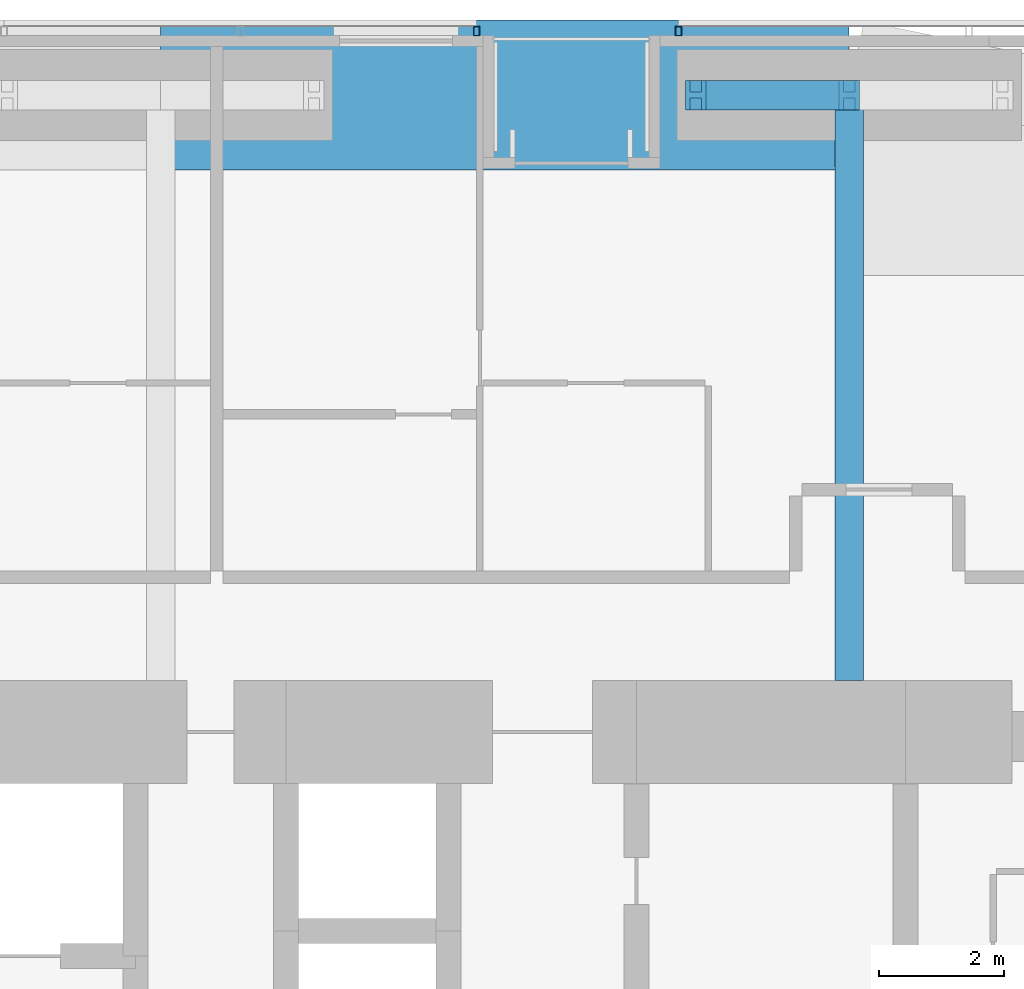
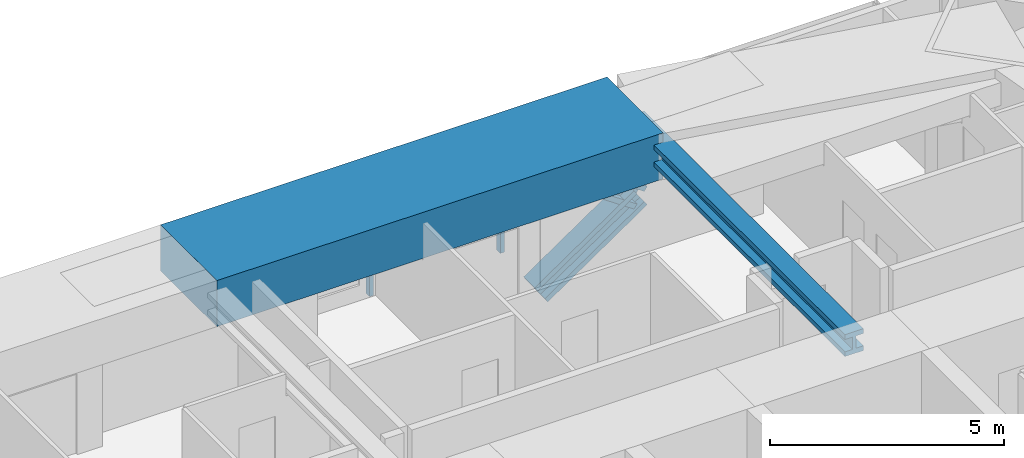
# One storey, part 12 of 22: 4 members, 2 beams, 2 elements without a shape of their own.
"""IFC4 building model written with IfcOpenShell, lengths in metres."""

from ifc_helpers import new_model, si_unit, direction, frame, origin, origin_2d, place, context, subcontext, project, spatial, rectangle, hollow_rectangle, i_section, extrude, material, material_profile, profile_set, type_object, element, aggregate, save


model = new_model("IFC4")

# Units and contexts
model_context = context("Model", 3, precision=1e-05, world=origin(), true_north=direction((0.0, 1.0)))
body_context = subcontext(model_context, "Body", "Model", "MODEL_VIEW")
ifc_project = project(units=[si_unit("LENGTHUNIT", "METRE"), si_unit("AREAUNIT", "SQUARE_METRE"), si_unit("VOLUMEUNIT", "CUBIC_METRE"), si_unit("PLANEANGLEUNIT", "RADIAN"), si_unit("MASSUNIT", "GRAM", prefix="KILO")], contexts=[model_context])

# Site, building, storey
site_placement = place(None, origin())
site = spatial("IfcSite", under=ifc_project, at=site_placement, CompositionType="ELEMENT")
building_placement = place(site_placement, origin())
building = spatial("IfcBuilding", under=site, at=building_placement, Name="Jalousie Tower", CompositionType="ELEMENT")
storey_placement = place(building_placement, frame((0.0, 0.0, 67.89990234375)))
storey = spatial("IfcBuildingStorey", under=building, at=storey_placement, Name="L18", CompositionType="ELEMENT", Elevation=67.89990234375)

# Beam
ifc_material_1 = material(Name="Steel ASTM A992 Grade 50", Category="steel")
ifc_material_profile_1 = material_profile(ifc_material_1, i_section(OverallWidth=0.45458984375, OverallDepth=0.569091796875, WebThickness=0.077880859375, FlangeThickness=0.124755859375, at=origin_2d()), Name="W14X730")
ifc_profile_set_1 = profile_set([ifc_material_profile_1], Name="Steel ASTM A992 Grade 50")
beam_type_1 = type_object("IfcBeamType", Name="LEAN COLLECTOR W14X730", PredefinedType="BEAM", material=ifc_profile_set_1)
beam_1_placement = place(storey_placement, frame((35.0, 37.050048828125, 2.82568359375), z_axis=(0.0, -1.0, 0.0), x_axis=(1.0, 0.0, 0.0)))
element("IfcBeam", 1, at=beam_1_placement, inside=storey, type_object=beam_type_1, Name="Lean collector under L19", PredefinedType="BEAM", context=body_context, shape_type="SweptSolid", body=[
    extrude(i_section(OverallWidth=0.45458984375, OverallDepth=0.569091796875, WebThickness=0.077880859375, FlangeThickness=0.124755859375, at=origin_2d()), origin(), (0.0, 0.0, 1.0), 9.35009765625),
])

# Members
ifc_material_2 = material(Name="Steel ASTM A992 Grade 50", Category="steel")
ifc_material_profile_2 = material_profile(ifc_material_2, i_section(OverallWidth=0.472412109375, OverallDepth=0.5791015625, WebThickness=0.094970703125, FlangeThickness=0.1298828125, at=origin_2d()), Name="W14X808")
ifc_profile_set_2 = profile_set([ifc_material_profile_2], Name="Steel ASTM A992 Grade 50")
member_type_1 = type_object("IfcMemberType", Name="PERIMETER BRACE W14X808", PredefinedType="BRACE", material=ifc_profile_set_2)
for number, where, z_axis, x_axis, name in (
    (2, (32.550048828125, 37.050048828125, -0.599853515625), (0.825500916831, 0.0, 0.564400776321), (0.0, 1.0, 0.0), "Perimeter brace 09 L18 part 1"),
    (3, (35.0, 37.050048828125, 1.0751953125), (-0.825539243753, 0.0, 0.564344714713), (0.0, -1.0, 0.0), "Perimeter brace 09 L18 part 4"),
):
    element("IfcMember", number, at=place(storey_placement, frame(where, z_axis=z_axis, x_axis=x_axis)), inside=storey, type_object=member_type_1, Name=name, PredefinedType="BRACE", context=body_context, shape_type="SweptSolid", body=[
        extrude(i_section(OverallWidth=0.472412109375, OverallDepth=0.5791015625, WebThickness=0.094970703125, FlangeThickness=0.1298828125, at=origin_2d()), origin(), (0.0, 0.0, 1.0), 2.9677734375),
    ])

# Beam
ifc_material_3 = material(Name="Concrete f'c 40 MPa", Category="concrete")
ifc_material_profile_3 = material_profile(ifc_material_3, rectangle(XDim=2.39990234375, YDim=1.199951171875, at=origin_2d()), Name="RC 2400x1200")
ifc_profile_set_3 = profile_set([ifc_material_profile_3], Name="Concrete f'c 40 MPa")
beam_type_2 = type_object("IfcBeamType", Name="RC BEAM 2400x1200", PredefinedType="BEAM", material=ifc_profile_set_3)
beam_2_placement = place(storey_placement, frame((35.0, 37.050048828125, 2.75), z_axis=(-1.0, 0.0, 0.0), x_axis=(0.0, -1.0, 0.0)))
element("IfcBeam", 4, at=beam_2_placement, inside=storey, type_object=beam_type_2, Name="Edge band beam 09-10 under L19", PredefinedType="BEAM", context=body_context, shape_type="SweptSolid", body=[
    extrude(rectangle(XDim=2.39990234375, YDim=1.199951171875, at=origin_2d()), origin(), (0.0, 0.0, 1.0), 11.0),
])

# Curtain wall, member
ifc_material_4 = material(Name="Perforated aluminium sheet", Category="aluminium")
curtain_wall_type = type_object("IfcCurtainWallType", Name="SOLAR SCREEN SS-1", PredefinedType="USERDEFINED", material=ifc_material_4)
curtain_wall_1_placement = place(storey_placement, origin())
curtain_wall_1 = element("IfcCurtainWall", 5, at=curtain_wall_1_placement, inside=storey, type_object=curtain_wall_type, Name="Solar screen L18", ObjectType="SOLAR SCREEN SS-1", PredefinedType="USERDEFINED")
ifc_material_5 = material(Name="Steel ASTM A500 Grade C", Category="steel")
ifc_material_profile_4 = material_profile(ifc_material_5, hollow_rectangle(XDim=0.1015625, YDim=0.15234375, WallThickness=0.00634765625, at=origin_2d()), Name="HSS6X4X1/4")
ifc_profile_set_4 = profile_set([ifc_material_profile_4], Name="Steel ASTM A500 Grade C")
member_type_2 = type_object("IfcMemberType", Name="SOLAR SCREEN SS-1 MULLION", PredefinedType="MULLION", material=ifc_profile_set_4)
member_1_placement = place(storey_placement, frame((32.27490234375, 38.0712890625, -0.119873046875), z_axis=(0.0, 0.0, 1.0), x_axis=(-1.0, 0.0, 0.0)))
member_1 = element("IfcMember", 6, at=member_1_placement, type_object=member_type_2, Name="SS1 post 3", PredefinedType="MULLION", context=body_context, shape_type="SweptSolid", body=[
    extrude(hollow_rectangle(XDim=0.1015625, YDim=0.15234375, WallThickness=0.00634765625, at=origin_2d()), origin(), (0.0, 0.0, 1.0), 3.22998046875),
])
aggregate(curtain_wall_1, [member_1])

curtain_wall_2_placement = place(storey_placement, origin())
curtain_wall_2 = element("IfcCurtainWall", 7, at=curtain_wall_2_placement, inside=storey, type_object=curtain_wall_type, Name="Solar screen L18", ObjectType="SOLAR SCREEN SS-1", PredefinedType="USERDEFINED")
member_2_placement = place(storey_placement, frame((29.050048828125, 38.0712890625, -0.119873046875), z_axis=(0.0, 0.0, 1.0), x_axis=(-1.0, 0.0, 0.0)))
member_2 = element("IfcMember", 8, at=member_2_placement, type_object=member_type_2, Name="SS1 post 1", PredefinedType="MULLION", context=body_context, shape_type="SweptSolid", body=[
    extrude(hollow_rectangle(XDim=0.1015625, YDim=0.15234375, WallThickness=0.00634765625, at=origin_2d()), origin(), (0.0, 0.0, 1.0), 3.22998046875),
])
aggregate(curtain_wall_2, [member_2])

save(model, "model.ifc")
